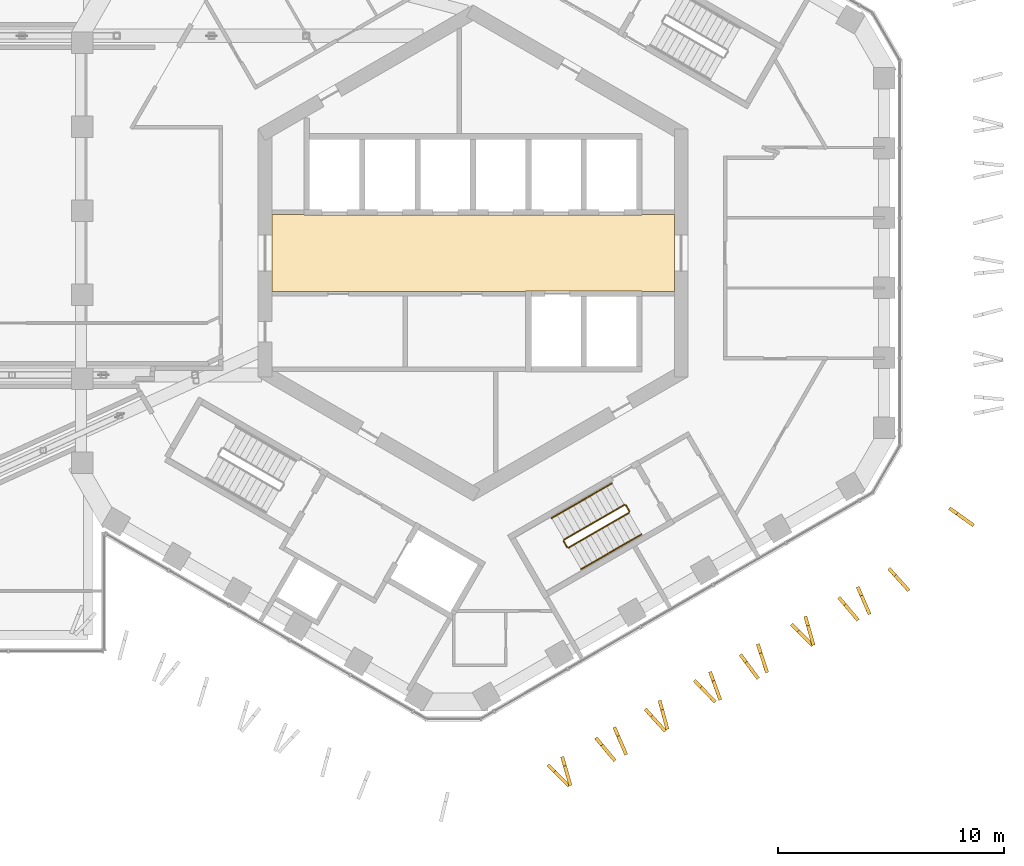
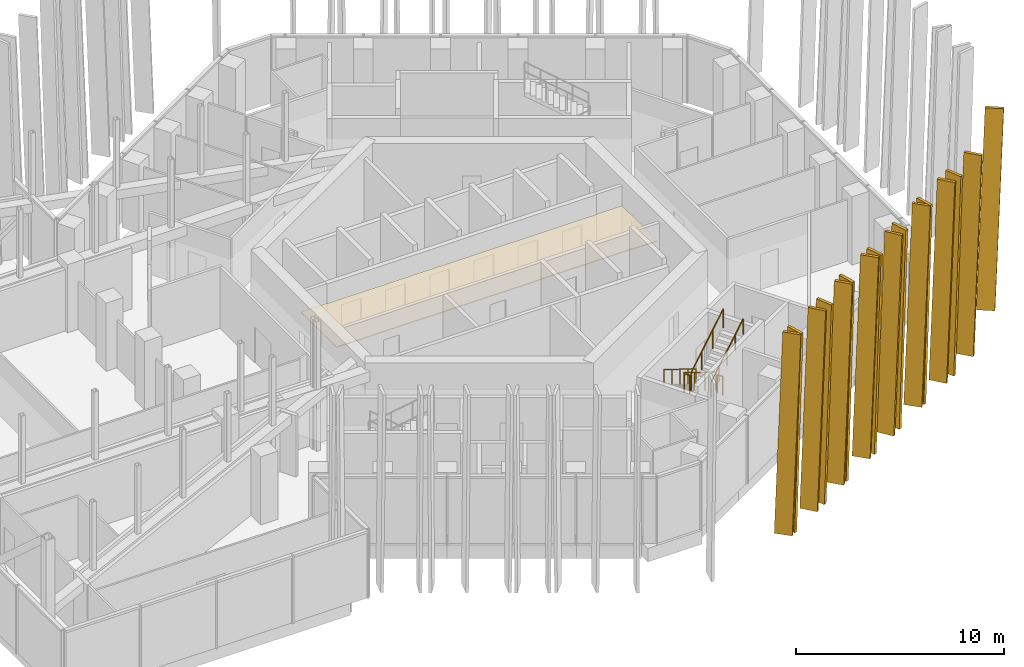
# One storey, part 26 of 28: 16 shading devices, 8 railings, 1 covering.
"""IFC4 building model written with IfcOpenShell, lengths in metres."""

from ifc_helpers import new_model, si_unit, direction, frame, origin, origin_2d, place, context, subcontext, project, spatial, polyline, circle, outline, extrude, material, layer, layer_set, type_object, element, save


model = new_model("IFC4")

# Units and contexts
model_context = context("Model", 3, precision=1e-05, world=origin(), true_north=direction((0.0, 1.0)))
body_context = subcontext(model_context, "Body", "Model", "MODEL_VIEW")
ifc_project = project(units=[si_unit("LENGTHUNIT", "METRE"), si_unit("AREAUNIT", "SQUARE_METRE"), si_unit("VOLUMEUNIT", "CUBIC_METRE"), si_unit("PLANEANGLEUNIT", "RADIAN"), si_unit("MASSUNIT", "GRAM", prefix="KILO")], contexts=[model_context])

# Site, building, storey
site_placement = place(None, origin())
site = spatial("IfcSite", under=ifc_project, at=site_placement, CompositionType="ELEMENT")
building_placement = place(site_placement, origin())
building = spatial("IfcBuilding", under=site, at=building_placement, Name="Ayvan Gate Tower", CompositionType="ELEMENT")
storey_placement = place(building_placement, frame((0.0, 0.0, 202.10009765625)))
storey = spatial("IfcBuildingStorey", under=building, at=storey_placement, Name="L54", CompositionType="ELEMENT", Elevation=202.10009765625)

# Shading devices
ifc_material_1 = material(Name="Bronze anodised aluminium", Category="aluminium")
ifc_layer_1 = layer(ifc_material_1, 0.14990234375)
ifc_layer_set_1 = layer_set([ifc_layer_1], Name="Bronze anodised aluminium")
shading_device_type = type_object("IfcShadingDeviceType", Name="Bronze fin 900 x 150", PredefinedType="USERDEFINED", material=ifc_layer_set_1)
shading_device_1_placement = place(storey_placement, frame((3.259521484375, -22.69384765625, 0.0), z_axis=(-0.709205905371, -0.705001395318, 0.000128011703), x_axis=(0.705001401095, -0.709205911181, 1.2242e-08)))
element("IfcShadingDevice", 1, at=shading_device_1_placement, inside=storey, type_object=shading_device_type, Name="Bronze fin FG20.3.17", ObjectType="FIN", PredefinedType="USERDEFINED", context=body_context, shape_type="SweptSolid", body=[
    extrude(outline(polyline([(0.0, 0.0), (0.8999421126154945, 6.776263578034403e-21), (1.3244456243001588, 11.879882893624579), (0.42433036571025495, 11.879882915660007), (0.0, 0.0)])), origin(), (0.0, 0.0, -1.0), 0.14990234375),
])
shading_device_2_placement = place(storey_placement, frame((3.87109375, -22.3017578125, 0.0), z_axis=(-0.961395893552, -0.27516889096, 0.000131562823), x_axis=(0.275168893343, -0.961395901872, 1.2242e-08)))
element("IfcShadingDevice", 2, at=shading_device_2_placement, inside=storey, type_object=shading_device_type, Name="Bronze fin FG20.3.18", ObjectType="FIN", PredefinedType="USERDEFINED", context=body_context, shape_type="SweptSolid", body=[
    extrude(outline(polyline([(0.0, 0.0), (0.9002551022655254, 0.0), (1.3245109861250721, 11.879882899098716), (0.4245577795615035, 11.879882921136515), (0.0, 0.0)])), origin(), (0.0, 0.0, -1.0), 0.14990234375),
])
shading_device_3_placement = place(storey_placement, frame((5.37109375, -21.49072265625, 0.0), z_axis=(-0.768410248789, -0.639957555831, 0.000127635888), x_axis=(0.639957561045, -0.768410255047, 1.1081e-08)))
element("IfcShadingDevice", 3, at=shading_device_3_placement, inside=storey, type_object=shading_device_type, Name="Bronze fin FG20.3.19", ObjectType="FIN", PredefinedType="USERDEFINED", context=body_context, shape_type="SweptSolid", body=[
    extrude(outline(polyline([(0.0, 0.0), (0.8998529611323602, -1.3552527156068805e-20), (1.324256182468011, 11.879882894593585), (0.42421562117572725, 11.87988291453745), (0.0, 0.0)])), origin(), (0.0, 0.0, -1.0), 0.14990234375),
])
shading_device_4_placement = place(storey_placement, frame((6.18017578125, -21.00830078125, 0.0), z_axis=(-0.918181220219, -0.396160612151, 0.000127349808), x_axis=(0.396160615365, -0.918181227664, 1.5858e-08)))
element("IfcShadingDevice", 4, at=shading_device_4_placement, inside=storey, type_object=shading_device_type, Name="Bronze fin FG20.3.20", ObjectType="FIN", PredefinedType="USERDEFINED", context=body_context, shape_type="SweptSolid", body=[
    extrude(outline(polyline([(0.0, 0.0), (0.9001059850315335, -6.776263578034403e-21), (1.3245486402072555, 11.879882887829378), (0.42453937407595776, 11.879882916375257), (0.0, 0.0)])), origin(), (0.0, 0.0, -1.0), 0.14990234375),
])
shading_device_5_placement = place(storey_placement, frame((7.5595703125, -20.22119140625, 0.0), z_axis=(-0.742781325333, -0.669534079956, 0.000136066757), x_axis=(0.669534086154, -0.742781332209, 0.0)))
element("IfcShadingDevice", 5, at=shading_device_5_placement, inside=storey, type_object=shading_device_type, Name="Bronze fin FG20.3.21", ObjectType="FIN", PredefinedType="USERDEFINED", context=body_context, shape_type="SweptSolid", body=[
    extrude(outline(polyline([(0.0, 0.0), (0.8999378447792616, -6.776263578034403e-21), (1.324411702510413, 11.879882922473042), (0.42447385773115154, 11.879882922473042), (0.0, 0.0)])), origin(), (0.0, 0.0, -1.0), 0.14990234375),
])
shading_device_6_placement = place(storey_placement, frame((8.176513671875, -19.810546875, 0.0), z_axis=(-0.965244185244, -0.261349662072, 0.000130337831), x_axis=(0.261349664294, -0.965244193442, 2.1685e-08)))
element("IfcShadingDevice", 6, at=shading_device_6_placement, inside=storey, type_object=shading_device_type, Name="Bronze fin FG20.3.22", ObjectType="FIN", PredefinedType="USERDEFINED", context=body_context, shape_type="SweptSolid", body=[
    extrude(outline(polyline([(0.0, 0.0), (0.8999706827748772, -3.3881317890172014e-21), (1.324515705517505, 11.879882884685736), (0.42437317349234754, 11.879882923720611), (0.0, 0.0)])), origin(), (0.0, 0.0, -1.0), 0.14990234375),
])
shading_device_7_placement = place(storey_placement, frame((9.73388671875, -18.958984375, 0.0), z_axis=(-0.718608695415, -0.695414643524, 0.00012824539), x_axis=(0.695414649244, -0.718608701323, 1.2499e-08)))
element("IfcShadingDevice", 7, at=shading_device_7_placement, inside=storey, type_object=shading_device_type, Name="Bronze fin FG20.3.23", ObjectType="FIN", PredefinedType="USERDEFINED", context=body_context, shape_type="SweptSolid", body=[
    extrude(outline(polyline([(0.0, 0.0), (0.9000580103676072, -1.3552527156068805e-20), (1.3244248098986438, 11.879882893639579), (0.42453657849813714, 11.87988291613703), (0.0, 0.0)])), origin(), (0.0, 0.0, -1.0), 0.14990234375),
])
shading_device_8_placement = place(storey_placement, frame((10.41064453125, -18.55078125, 0.0), z_axis=(-0.939380892096, -0.342875381926, 0.000109703416), x_axis=(0.342875383989, -0.939380897748, 0.0)))
element("IfcShadingDevice", 8, at=shading_device_8_placement, inside=storey, type_object=shading_device_type, Name="Bronze fin FG20.3.24", ObjectType="FIN", PredefinedType="USERDEFINED", context=body_context, shape_type="SweptSolid", body=[
    extrude(outline(polyline([(0.0, 0.0), (0.9000172202794061, 6.776263578034403e-21), (1.3243820518235614, 11.879882883986243), (0.42436483154415544, 11.879882883986243), (0.0, 0.0)])), origin(), (0.0, 0.0, -1.0), 0.14990234375),
])
shading_device_9_placement = place(storey_placement, frame((11.7626953125, -17.8056640625, 0.0), z_axis=(-0.804598761216, -0.593818842988, 0.00012313254), x_axis=(0.59381884749, -0.804598767316, 0.0)))
element("IfcShadingDevice", 9, at=shading_device_9_placement, inside=storey, type_object=shading_device_type, Name="Bronze fin FG20.3.25", ObjectType="FIN", PredefinedType="USERDEFINED", context=body_context, shape_type="SweptSolid", body=[
    extrude(outline(polyline([(0.0, 0.0), (0.8999778811067947, -6.776263578034403e-21), (1.3243444400062754, 11.879882902559151), (0.4243665588994806, 11.879882902559151), (0.0, 0.0)])), origin(), (0.0, 0.0, -1.0), 0.14990234375),
])
shading_device_10_placement = place(storey_placement, frame((12.520263671875, -17.322021484375, 0.0), z_axis=(-0.95027165455, -0.311422169404, 0.000122318445), x_axis=(0.311422171734, -0.950271661659, 0.0)))
element("IfcShadingDevice", 10, at=shading_device_10_placement, inside=storey, type_object=shading_device_type, Name="Bronze fin FG20.3.26", ObjectType="FIN", PredefinedType="USERDEFINED", context=body_context, shape_type="SweptSolid", body=[
    extrude(outline(polyline([(0.0, 0.0), (0.8999790732281988, 0.0), (1.3243677865280348, 11.87988290137223), (0.424388713299836, 11.87988290137223), (0.0, 0.0)])), origin(), (0.0, 0.0, -1.0), 0.14990234375),
])
shading_device_11_placement = place(storey_placement, frame((14.03369140625, -16.473388671875, 0.0), z_axis=(-0.709476304027, -0.704729282302, 0.000112653618), x_axis=(0.704729286773, -0.709476308529, -1.0767e-08)))
element("IfcShadingDevice", 11, at=shading_device_11_placement, inside=storey, type_object=shading_device_type, Name="Bronze fin FG20.3.27", ObjectType="FIN", PredefinedType="USERDEFINED", context=body_context, shape_type="SweptSolid", body=[
    extrude(outline(polyline([(0.0, 0.0), (0.9001163843137222, 6.776263578034403e-21), (1.3244469880059806, 11.879882902142633), (0.42450381568164536, 11.879882882762098), (0.0, 0.0)])), origin(), (0.0, 0.0, -1.0), 0.14990234375),
])
shading_device_12_placement = place(storey_placement, frame((14.623046875, -16.093505859375, 0.0), z_axis=(-0.961973017485, -0.273144460343, 0.000131960551), x_axis=(0.273144462722, -0.961973025861, 4.889e-09)))
element("IfcShadingDevice", 12, at=shading_device_12_placement, inside=storey, type_object=shading_device_type, Name="Bronze fin FG20.3.28", ObjectType="FIN", PredefinedType="USERDEFINED", context=body_context, shape_type="SweptSolid", body=[
    extrude(outline(polyline([(0.0, 0.0), (0.8999543026524467, -6.776263578034403e-21), (1.3244757017455149, 11.879882909460237), (0.4242865423973013, 11.879882918261263), (0.0, 0.0)])), origin(), (0.0, 0.0, -1.0), 0.14990234375),
])
shading_device_13_placement = place(storey_placement, frame((16.11962890625, -15.2841796875, 0.0), z_axis=(-0.764942845074, -0.644098150932, 0.000125443509), x_axis=(0.644098155999, -0.764942851094, -1.3016e-08)))
element("IfcShadingDevice", 13, at=shading_device_13_placement, inside=storey, type_object=shading_device_type, Name="Bronze fin FG20.3.29", ObjectType="FIN", PredefinedType="USERDEFINED", context=body_context, shape_type="SweptSolid", body=[
    extrude(outline(polyline([(0.0, 0.0), (0.8999579742247616, 6.776263578034403e-21), (1.3244999695148623, 11.879882923210554), (0.4243847447637337, 11.879882899781476), (0.0, 0.0)])), origin(), (0.0, 0.0, -1.0), 0.14990234375),
])
shading_device_14_placement = place(storey_placement, frame((16.939453125, -14.797607421875, 0.0), z_axis=(-0.916172890823, -0.400783255719, 0.000126709568), x_axis=(0.400783258939, -0.916172898177, 2.2634e-08)))
element("IfcShadingDevice", 14, at=shading_device_14_placement, inside=storey, type_object=shading_device_type, Name="Bronze fin FG20.3.30", ObjectType="FIN", PredefinedType="USERDEFINED", context=body_context, shape_type="SweptSolid", body=[
    extrude(outline(polyline([(0.0, 0.0), (0.8999691244765435, 6.776263578034403e-21), (1.324525284181159, 11.879882877888198), (0.4244303321559735, 11.879882918631024), (0.0, 0.0)])), origin(), (0.0, 0.0, -1.0), 0.14990234375),
])
shading_device_15_placement = place(storey_placement, frame((18.332275390625, -14.001953125, 0.0), z_axis=(-0.744318333955, -0.667824977477, 0.000131133507), x_axis=(0.667824983219, -0.744318340355, 0.0)))
element("IfcShadingDevice", 15, at=shading_device_15_placement, inside=storey, type_object=shading_device_type, Name="Bronze fin FG20.3.31", ObjectType="FIN", PredefinedType="USERDEFINED", context=body_context, shape_type="SweptSolid", body=[
    extrude(outline(polyline([(0.0, 0.0), (0.9000475182174765, -6.776263578034403e-21), (1.324572564479943, 11.879882914643213), (0.42452504626246657, 11.879882914643213), (0.0, 0.0)])), origin(), (0.0, 0.0, -1.0), 0.14990234375),
])
shading_device_16_placement = place(storey_placement, frame((21.01953125, -11.346435546875, 0.0), z_axis=(-0.58157171093, -0.8134951311, 0.00012931739), x_axis=(0.813495137902, -0.581571715793, 0.0)))
element("IfcShadingDevice", 16, at=shading_device_16_placement, inside=storey, type_object=shading_device_type, Name="Bronze fin FG20.4.32", ObjectType="FIN", PredefinedType="USERDEFINED", context=body_context, shape_type="SweptSolid", body=[
    extrude(outline(polyline([(0.0, 0.0), (0.9000394719792895, 6.776263578034403e-21), (1.3245016916160737, 11.879882911833567), (0.42446221963678415, 11.879882911833567), (0.0, 0.0)])), origin(), (0.0, 0.0, -1.0), 0.14990234375),
])

# Covering
ifc_material_2 = material(Name="Plasterboard suspended ceiling")
ifc_layer_2 = layer(ifc_material_2, 0.050048828125)
ifc_layer_set_2 = layer_set([ifc_layer_2], Name="Plasterboard suspended ceiling")
covering_type = type_object("IfcCoveringType", Name="CT-SUSP-50", PredefinedType="CEILING", material=ifc_layer_set_2)
covering_placement = place(storey_placement, frame((0.0, 0.0, 2.39990234375)))
element("IfcCovering", 17, at=covering_placement, inside=storey, type_object=covering_type, Name="Ceiling Lift Lobby L54", PredefinedType="CEILING", context=body_context, shape_type="SweptSolid", body=[
    extrude(outline(polyline([(7.47509765625, -1.675048828125), (2.324951171875, -1.675048828125), (2.324951171875, -1.699951171875), (-8.89990234375, -1.699951171875), (-8.89990234375, 1.699951171875), (-7.47509765625, 1.699951171875), (-7.47509765625, 1.675048828125), (7.47509765625, 1.675048828125), (7.47509765625, 1.699951171875), (8.89990234375, 1.699951171875), (8.89990234375, -1.699951171875), (7.47509765625, -1.699951171875), (7.47509765625, -1.675048828125)])), origin(), (0.0, 0.0, 1.0), 0.050048828125),
])

# Railings
ifc_material_3 = material(Name="Stainless steel balustrade", Category="steel")
railing_type_1 = type_object("IfcRailingType", Name="RL-GUARD-1100", PredefinedType="GUARDRAIL", material=ifc_material_3)
railing_1_placement = place(storey_placement, frame((6.6923828125, -11.1416015625, 0.16650390625)))
element("IfcRailing", 18, at=railing_1_placement, inside=storey, type_object=railing_type_1, Name="L54 STS3 stair guard 1", PredefinedType="GUARDRAIL", context=body_context, shape_type="SweptSolid", body=[
    extrude(circle(Radius=0.02392578125, at=origin_2d()), frame((0.0, 0.0, 1.076171875), z_axis=(-0.74418568968, -0.429578907634, 0.511516980551), x_axis=(0.499932877268, -0.866064153644, 0.0)), (0.0, 0.0, 1.0), 3.58447265625),
    extrude(circle(Radius=0.02099609375, at=origin_2d()), origin(), (0.0, 0.0, 1.0), 1.052001953125),
    extrude(circle(Radius=0.02099609375, at=origin_2d()), frame((-0.88916015625, -0.51318359375, 0.611083984375)), (0.0, 0.0, 1.0), 1.052001953125),
    extrude(circle(Radius=0.02099609375, at=origin_2d()), frame((-1.7783203125, -1.026611328125, 1.222412109375)), (0.0, 0.0, 1.0), 1.052001953125),
    extrude(circle(Radius=0.02099609375, at=origin_2d()), frame((-2.66748046875, -1.539794921875, 1.83349609375)), (0.0, 0.0, 1.0), 1.052001953125),
])
railing_2_placement = place(storey_placement, frame((4.006591796875, -12.749755859375, 2.0)))
element("IfcRailing", 19, at=railing_2_placement, inside=storey, type_object=railing_type_1, Name="L54 STS3 stair guard 2", PredefinedType="GUARDRAIL", context=body_context, shape_type="SweptSolid", body=[
    extrude(circle(Radius=0.02392578125, at=origin_2d()), frame((0.0, 0.0, 1.076171875), z_axis=(0.499949632511, -0.866054481515, 0.0), x_axis=(0.866054481515, 0.499949632511, 0.0)), (0.0, 0.0, 1.0), 0.31005859375),
    extrude(circle(Radius=0.02099609375, at=origin_2d()), origin(), (0.0, 0.0, 1.0), 1.052001953125),
    extrude(circle(Radius=0.02099609375, at=origin_2d()), frame((0.155029296875, -0.2685546875, 0.0)), (0.0, 0.0, 1.0), 1.052001953125),
])
railing_3_placement = place(storey_placement, frame((4.22998046875, -13.03662109375, 2.16650390625)))
element("IfcRailing", 20, at=railing_3_placement, inside=storey, type_object=railing_type_1, Name="L54 STS3 stair guard 3", PredefinedType="GUARDRAIL", context=body_context, shape_type="SweptSolid", body=[
    extrude(circle(Radius=0.02392578125, at=origin_2d()), frame((0.0, 0.0, 1.076171875), z_axis=(0.7441639146, 0.429634447492, 0.511502013422), x_axis=(-0.499992328818, 0.866029832698, 0.0)), (0.0, 0.0, 1.0), 3.58447265625),
    extrude(circle(Radius=0.02099609375, at=origin_2d()), origin(), (0.0, 0.0, 1.0), 1.052001953125),
    extrude(circle(Radius=0.02099609375, at=origin_2d()), frame((0.88916015625, 0.513427734375, 0.611083984375)), (0.0, 0.0, 1.0), 1.052001953125),
    extrude(circle(Radius=0.02099609375, at=origin_2d()), frame((1.7783203125, 1.026611328125, 1.222412109375)), (0.0, 0.0, 1.0), 1.052001953125),
    extrude(circle(Radius=0.02099609375, at=origin_2d()), frame((2.66748046875, 1.5400390625, 1.83349609375)), (0.0, 0.0, 1.0), 1.052001953125),
])
railing_4_placement = place(storey_placement, frame((6.7607421875, -11.159912109375, 0.0)))
element("IfcRailing", 21, at=railing_4_placement, inside=storey, type_object=railing_type_1, Name="L54 STS3 stair guard 4", PredefinedType="GUARDRAIL", context=body_context, shape_type="SweptSolid", body=[
    extrude(circle(Radius=0.02392578125, at=origin_2d()), frame((0.0, 0.0, 1.076171875), z_axis=(0.500290723946, -0.86585748916, 0.0), x_axis=(0.86585748916, 0.500290723946, 0.0)), (0.0, 0.0, 1.0), 0.309814453125),
    extrude(circle(Radius=0.02099609375, at=origin_2d()), origin(), (0.0, 0.0, 1.0), 1.052001953125),
    extrude(circle(Radius=0.02099609375, at=origin_2d()), frame((0.155029296875, -0.268310546875, 0.0)), (0.0, 0.0, 1.0), 1.052001953125),
])
railing_type_2 = type_object("IfcRailingType", Name="RL-HANDRAIL-900", PredefinedType="HANDRAIL", material=ifc_material_3)
railing_5_placement = place(storey_placement, frame((6.142333984375, -10.18896484375, 0.16650390625)))
element("IfcRailing", 22, at=railing_5_placement, inside=storey, type_object=railing_type_2, Name="L54 STS3 stair handrail 1", PredefinedType="HANDRAIL", context=body_context, shape_type="SweptSolid", body=[
    extrude(circle(Radius=0.02392578125, at=origin_2d()), frame((0.0, 0.0, 0.8759765625), z_axis=(-0.7441639146, -0.429634447492, 0.511502013422), x_axis=(0.499992328818, -0.866029832698, 0.0)), (0.0, 0.0, 1.0), 1.792236328125),
    extrude(circle(Radius=0.02099609375, at=origin_2d()), origin(), (0.0, 0.0, 1.0), 0.851806640625),
    extrude(circle(Radius=0.02099609375, at=origin_2d()), frame((-0.6669921875, -0.385009765625, 0.45849609375)), (0.0, 0.0, 1.0), 0.851806640625),
    extrude(circle(Radius=0.02099609375, at=origin_2d()), frame((-1.333740234375, -0.77001953125, 0.916748046875)), (0.0, 0.0, 1.0), 0.851806640625),
])
railing_6_placement = place(storey_placement, frame((4.80859375, -10.958984375, 1.083251953125)))
element("IfcRailing", 23, at=railing_6_placement, inside=storey, type_object=railing_type_2, Name="L54 STS3 stair handrail 2", PredefinedType="HANDRAIL", context=body_context, shape_type="SweptSolid", body=[
    extrude(circle(Radius=0.02392578125, at=origin_2d()), frame((0.0, 0.0, 0.8759765625), z_axis=(-0.744146675635, -0.429566911072, 0.511583809412), x_axis=(0.499942064311, -0.866058850386, 0.0)), (0.0, 0.0, 1.0), 1.7919921875),
    extrude(circle(Radius=0.02099609375, at=origin_2d()), origin(), (0.0, 0.0, 1.0), 0.851806640625),
    extrude(circle(Radius=0.02099609375, at=origin_2d()), frame((-0.666748046875, -0.384765625, 0.45849609375)), (0.0, 0.0, 1.0), 0.851806640625),
    extrude(circle(Radius=0.02099609375, at=origin_2d()), frame((-1.33349609375, -0.769775390625, 0.916748046875)), (0.0, 0.0, 1.0), 0.851806640625),
])
railing_7_placement = place(storey_placement, frame((4.780029296875, -13.9892578125, 2.16650390625)))
element("IfcRailing", 24, at=railing_7_placement, inside=storey, type_object=railing_type_2, Name="L54 STS3 stair handrail 3", PredefinedType="HANDRAIL", context=body_context, shape_type="SweptSolid", body=[
    extrude(circle(Radius=0.02392578125, at=origin_2d()), frame((0.0, 0.0, 0.8759765625), z_axis=(0.7441639146, 0.429634447492, 0.511502013422), x_axis=(-0.499992328818, 0.866029832698, 0.0)), (0.0, 0.0, 1.0), 1.792236328125),
    extrude(circle(Radius=0.02099609375, at=origin_2d()), origin(), (0.0, 0.0, 1.0), 0.851806640625),
    extrude(circle(Radius=0.02099609375, at=origin_2d()), frame((0.6669921875, 0.385009765625, 0.45849609375)), (0.0, 0.0, 1.0), 0.851806640625),
    extrude(circle(Radius=0.02099609375, at=origin_2d()), frame((1.333740234375, 0.77001953125, 0.916748046875)), (0.0, 0.0, 1.0), 0.851806640625),
])
railing_8_placement = place(storey_placement, frame((6.11376953125, -13.21923828125, 3.083251953125)))
element("IfcRailing", 25, at=railing_8_placement, inside=storey, type_object=railing_type_2, Name="L54 STS3 stair handrail 4", PredefinedType="HANDRAIL", context=body_context, shape_type="SweptSolid", body=[
    extrude(circle(Radius=0.02392578125, at=origin_2d()), frame((0.0, 0.0, 0.8759765625), z_axis=(0.744103121745, 0.429678001828, 0.51155386711), x_axis=(-0.500060979923, 0.865990194147, 0.0)), (0.0, 0.0, 1.0), 1.7919921875),
    extrude(circle(Radius=0.02099609375, at=origin_2d()), origin(), (0.0, 0.0, 1.0), 0.851806640625),
    extrude(circle(Radius=0.02099609375, at=origin_2d()), frame((0.666748046875, 0.385009765625, 0.45849609375)), (0.0, 0.0, 1.0), 0.851806640625),
    extrude(circle(Radius=0.02099609375, at=origin_2d()), frame((1.33349609375, 0.77001953125, 0.916748046875)), (0.0, 0.0, 1.0), 0.851806640625),
])

save(model, "model.ifc")
